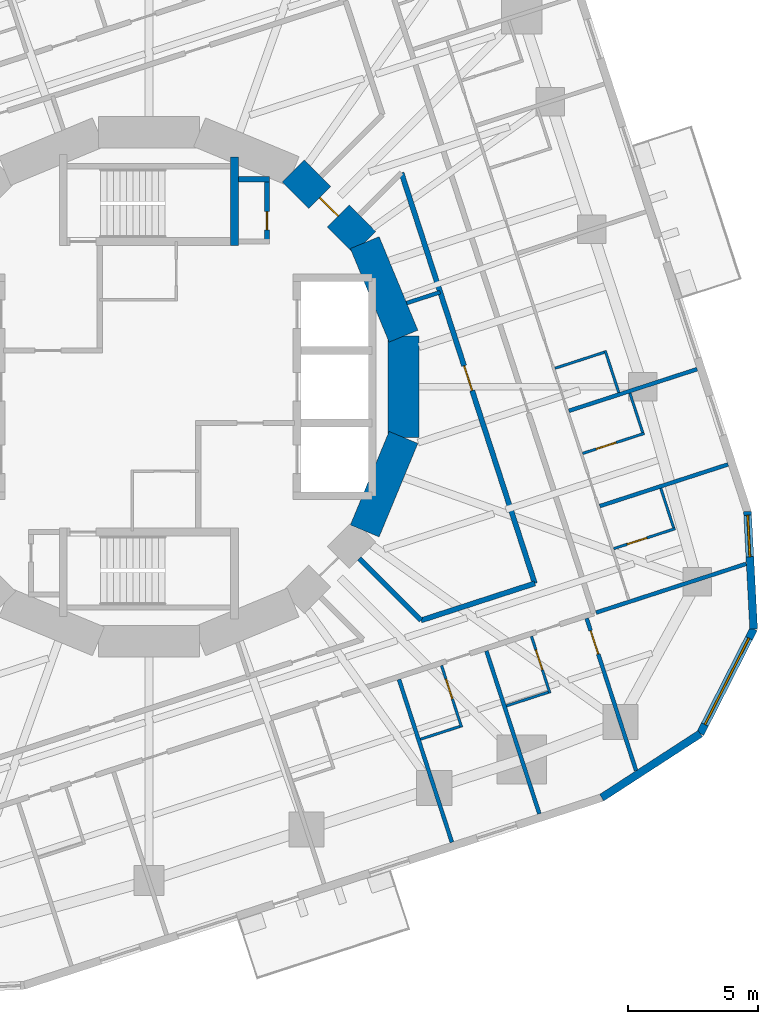
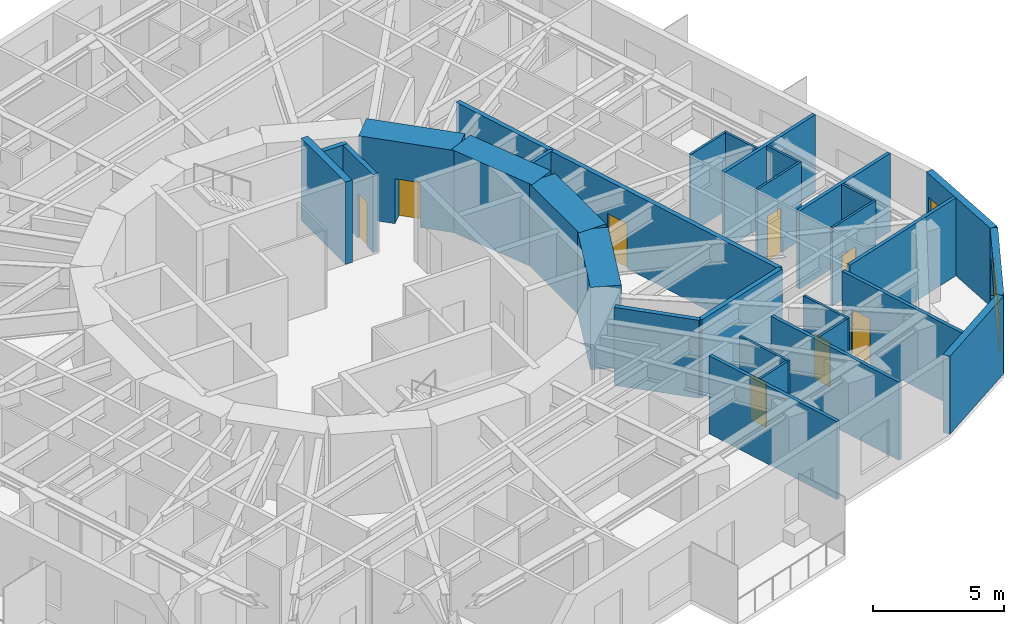
# One storey, part 7 of 12: 30 walls, 8 doors, 2 windows, 10 openings.
"""IFC4 building model written with IfcOpenShell, lengths in metres."""

from ifc_helpers import new_model, si_unit, direction, frame, frame_2d, origin, place, context, subcontext, project, spatial, rectangle, extrude, material, layer, layer_set, type_object, element, fill, save


model = new_model("IFC4")

# Units and contexts
model_context = context("Model", 3, precision=1e-05, world=origin(), true_north=direction((0.0, 1.0)))
body_context = subcontext(model_context, "Body", "Model", "MODEL_VIEW")
ifc_project = project(units=[si_unit("LENGTHUNIT", "METRE"), si_unit("AREAUNIT", "SQUARE_METRE"), si_unit("VOLUMEUNIT", "CUBIC_METRE"), si_unit("PLANEANGLEUNIT", "RADIAN"), si_unit("MASSUNIT", "GRAM", prefix="KILO")], contexts=[model_context])

# Site, building, storey
site_placement = place(None, origin())
site = spatial("IfcSite", under=ifc_project, at=site_placement, CompositionType="ELEMENT")
building_placement = place(site_placement, origin())
building = spatial("IfcBuilding", under=site, at=building_placement, Name="Nakasero Lantern House", CompositionType="ELEMENT")
storey_placement = place(building_placement, frame((0.0, 0.0, 172.60009765625)))
storey = spatial("IfcBuildingStorey", under=building, at=storey_placement, Name="L42", CompositionType="ELEMENT", Elevation=172.60009765625)

# Walls
ifc_material_1 = material(Name="Concrete C50/60", Category="concrete")
ifc_layer_1 = layer(ifc_material_1, 0.300048828125)
ifc_layer_set_1 = layer_set([ifc_layer_1], Name="Core inner wall 300")
wall_type_1 = type_object("IfcWallType", Name="Core inner wall 300", PredefinedType="SHEAR", material=ifc_layer_set_1)
wall_1_placement = place(storey_placement, frame((3.300048828125, 5.449951171875, 0.0), z_axis=(0.0, 0.0, 1.0), x_axis=(0.0, 1.0, 0.0)))
element("IfcWall", 1, at=wall_1_placement, inside=storey, type_object=wall_type_1, Name="Core inner wall L42 SNE", PredefinedType="SHEAR", context=body_context, shape_type="SweptSolid", body=[
    extrude(rectangle(XDim=3.400146484375, YDim=0.300048828125, at=frame_2d((1.7001953125, 0.0))), origin(), (0.0, 0.0, 1.0), 3.849853515625),
])
ifc_material_2 = material(Name="Concrete C50/60", Category="concrete")
ifc_layer_2 = layer(ifc_material_2, 1.199951171875)
ifc_layer_set_2 = layer_set([ifc_layer_2], Name="Core wall 1200")
wall_type_2 = type_object("IfcWallType", Name="Core wall 1200", PredefinedType="SHEAR", material=ifc_layer_set_2)
wall_2_placement = place(storey_placement, frame((9.807861328125, 1.950927734375, 0.0), z_axis=(0.0, 0.0, 1.0), x_axis=(-0.382690736062, 0.923876507187, 0.0)))
element("IfcWall", 2, at=wall_2_placement, inside=storey, type_object=wall_type_2, Name="Core wall L42 facet 1", PredefinedType="SHEAR", context=body_context, shape_type="SweptSolid", body=[
    extrude(rectangle(XDim=3.90185546875, YDim=1.199951171875, at=frame_2d((1.950927734375, 0.0))), origin(), (0.0, 0.0, 1.0), 3.849853515625),
])

# Wall, opening, door
wall_3_placement = place(storey_placement, frame((8.314697265625, 5.5556640625, 0.0), z_axis=(0.0, 0.0, 1.0), x_axis=(-0.707106781187, 0.707106781187, 0.0)))
wall_3 = element("IfcWall", 3, at=wall_3_placement, inside=storey, type_object=wall_type_2, Name="Core wall L42 facet 2", PredefinedType="SHEAR", context=body_context, shape_type="SweptSolid", body=[
    extrude(rectangle(XDim=3.90185546875, YDim=1.199951171875, at=frame_2d((1.950927734375, 0.0))), origin(), (0.0, 0.0, 1.0), 3.849853515625),
])
opening_1_placement = place(wall_3_placement, frame((1.450927734375, 0.0, 0.0)))
opening_1 = element("IfcOpeningElement", 4, at=opening_1_placement, cuts=wall_3, Name="Opening D05", PredefinedType="OPENING", context=body_context, shape_type="SweptSolid", body=[
    extrude(rectangle(XDim=1.0, YDim=2.10009765625, at=frame_2d((0.5, 1.050048828125))), frame((0.0, 0.619873046875, 0.0), z_axis=(0.0, -1.0, 0.0), x_axis=(1.0, 0.0, 0.0)), (0.0, 0.0, 1.0), 1.239990234375),
])
ifc_material_3 = material(Name="Timber C24", Category="wood")
door_type_1 = type_object("IfcDoorType", Name="Core door FD60S 1000", OperationType="SINGLE_SWING_LEFT", PredefinedType="DOOR", material=ifc_material_3)
door_1_placement = place(opening_1_placement, origin())
door_1 = element("IfcDoor", 5, at=door_1_placement, inside=storey, type_object=door_type_1, Name="Door L42 D-CORE02", OperationType="SINGLE_SWING_LEFT", OverallHeight=2.10009765625, OverallWidth=1.0, PredefinedType="DOOR", context=body_context, shape_type="SweptSolid", body=[
    extrude(rectangle(XDim=1.0, YDim=2.10009765625, at=frame_2d((0.5, 1.050048828125))), frame((0.0, 0.02490234375, 0.0), z_axis=(0.0, -1.0, 0.0), x_axis=(1.0, 0.0, 0.0)), (0.0, 0.0, 1.0), 0.050048828125),
])
fill(opening_1, door_1)

# Walls
for number, where, z_axis, x_axis, name in (
    (6, (8.314697265625, -5.5556640625, 0.0), (0.0, 0.0, 1.0), (0.382690736062, 0.923876507187, 0.0), "Core wall L42 facet 15"),
    (7, (9.807861328125, -1.950927734375, 0.0), (0.0, 0.0, 1.0), (0.0, 1.0, 0.0), "Core wall L42 facet 16"),
):
    element("IfcWall", number, at=place(storey_placement, frame(where, z_axis=z_axis, x_axis=x_axis)), inside=storey, type_object=wall_type_2, Name=name, PredefinedType="SHEAR", context=body_context, shape_type="SweptSolid", body=[
        extrude(rectangle(XDim=3.90185546875, YDim=1.199951171875, at=frame_2d((1.950927734375, 0.0))), origin(), (0.0, 0.0, 1.0), 3.849853515625),
    ])

# Wall, opening, door
ifc_material_4 = material(Name="Blockwork", Category="masonry")
ifc_layer_3 = layer(ifc_material_4, 0.199951171875)
ifc_layer_set_3 = layer_set([ifc_layer_3], Name="Corridor wall 200")
wall_type_3 = type_object("IfcWallType", Name="Corridor wall 200", PredefinedType="PARTITIONING", material=ifc_layer_set_3)
wall_4_placement = place(storey_placement, frame((14.868896484375, -7.576171875, 0.0), z_axis=(0.0, 0.0, 1.0), x_axis=(-0.309015049795, 0.951057148125, 0.0)))
wall_4 = element("IfcWall", 8, at=wall_4_placement, inside=storey, type_object=wall_type_3, Name="Corridor wall L42 IW0-0", PredefinedType="PARTITIONING", context=body_context, shape_type="SweptSolid", body=[
    extrude(rectangle(XDim=16.634033203125, YDim=0.199951171875, at=frame_2d((8.31689453125, 0.0))), origin(), (0.0, 0.0, 1.0), 3.64990234375),
])
opening_2_placement = place(wall_4_placement, frame((7.81689453125, 0.0, 0.0)))
opening_2 = element("IfcOpeningElement", 9, at=opening_2_placement, cuts=wall_4, Name="Opening D07", PredefinedType="OPENING", context=body_context, shape_type="SweptSolid", body=[
    extrude(rectangle(XDim=1.0, YDim=2.10009765625, at=frame_2d((0.5, 1.050048828125))), frame((0.0, 0.119873046875, 0.0), z_axis=(0.0, -1.0, 0.0), x_axis=(1.0, 0.0, 0.0)), (0.0, 0.0, 1.0), 0.239990234375),
])
ifc_material_5 = material(Name="Timber C24", Category="wood")
door_type_2 = type_object("IfcDoorType", Name="Room door FD30S 1000", OperationType="SINGLE_SWING_LEFT", PredefinedType="DOOR", material=ifc_material_5)
door_2_placement = place(opening_2_placement, origin())
door_2 = element("IfcDoor", 10, at=door_2_placement, inside=storey, type_object=door_type_2, Name="Door L42 DI4", OperationType="SINGLE_SWING_RIGHT", OverallHeight=2.10009765625, OverallWidth=1.0, PredefinedType="DOOR", context=body_context, shape_type="SweptSolid", body=[
    extrude(rectangle(XDim=1.0, YDim=2.10009765625, at=frame_2d((0.5, 1.050048828125))), frame((0.0, 0.02490234375, 0.0), z_axis=(0.0, -1.0, 0.0), x_axis=(1.0, 0.0, 0.0)), (0.0, 0.0, 1.0), 0.050048828125),
])
fill(opening_2, door_2)

# Walls
wall_5_placement = place(storey_placement, frame((10.4853515625, -9.00048828125, 0.0), z_axis=(0.0, 0.0, 1.0), x_axis=(0.951055475561, 0.309020197406, 0.0)))
element("IfcWall", 11, at=wall_5_placement, inside=storey, type_object=wall_type_3, Name="Corridor wall L42 IW3-1", PredefinedType="PARTITIONING", context=body_context, shape_type="SweptSolid", body=[
    extrude(rectangle(XDim=4.609130859375, YDim=0.199951171875, at=frame_2d((2.3046875, 0.0))), origin(), (0.0, 0.0, 1.0), 3.64990234375),
])
wall_6_placement = place(storey_placement, frame((8.101806640625, -6.616943359375, 0.0), z_axis=(0.0, 0.0, 1.0), x_axis=(0.707106781187, -0.707106781187, 0.0)))
element("IfcWall", 12, at=wall_6_placement, inside=storey, type_object=wall_type_3, Name="Corridor wall L42 PS14a", PredefinedType="PARTITIONING", context=body_context, shape_type="SweptSolid", body=[
    extrude(rectangle(XDim=3.370849609375, YDim=0.199951171875, at=frame_2d((1.685546875, 0.0))), origin(), (0.0, 0.0, 1.0), 3.64990234375),
])
ifc_material_6 = material(Name="Blockwork", Category="masonry")
ifc_layer_4 = layer(ifc_material_6, 0.10009765625)
ifc_layer_set_4 = layer_set([ifc_layer_4], Name="En-suite wall 100")
wall_type_4 = type_object("IfcWallType", Name="En-suite wall 100", PredefinedType="PARTITIONING", material=ifc_layer_set_4)
wall_7_placement = place(storey_placement, frame((15.645263671875, 0.713623046875, 0.0), z_axis=(0.0, 0.0, 1.0), x_axis=(0.951062257173, 0.308999325213, 0.0)))
element("IfcWall", 13, at=wall_7_placement, inside=storey, type_object=wall_type_4, Name="En-suite wall L42 SS0-0", PredefinedType="PARTITIONING", context=body_context, shape_type="SweptSolid", body=[
    extrude(rectangle(XDim=2.10009765625, YDim=0.10009765625, at=frame_2d((1.050048828125, 0.0))), origin(), (0.0, 0.0, 1.0), 3.64990234375),
])
wall_8_placement = place(storey_placement, frame((18.104736328125, -0.22216796875, 0.0), z_axis=(0.0, 0.0, 1.0), x_axis=(-0.309066587596, 0.951040401051, 0.0)))
element("IfcWall", 14, at=wall_8_placement, inside=storey, type_object=wall_type_4, Name="En-suite wall L42 SE0-0", PredefinedType="PARTITIONING", context=body_context, shape_type="SweptSolid", body=[
    extrude(rectangle(XDim=1.699951171875, YDim=0.10009765625, at=frame_2d((0.85009765625, 0.0))), origin(), (0.0, 0.0, 1.0), 3.64990234375),
])

# Wall, opening, door
wall_9_placement = place(storey_placement, frame((17.904052734375, -6.23828125, 0.0), z_axis=(0.0, 0.0, 1.0), x_axis=(0.951039092003, 0.309070615688, 0.0)))
wall_9 = element("IfcWall", 15, at=wall_9_placement, inside=storey, type_object=wall_type_4, Name="En-suite wall L42 ES0-00", PredefinedType="PARTITIONING", context=body_context, shape_type="SweptSolid", body=[
    extrude(rectangle(XDim=2.5, YDim=0.10009765625, at=frame_2d((1.25, 0.0))), origin(), (0.0, 0.0, 1.0), 3.64990234375),
])
opening_3_placement = place(wall_9_placement, frame((0.550048828125, 0.0, 0.0)))
opening_3 = element("IfcOpeningElement", 16, at=opening_3_placement, cuts=wall_9, Name="Opening D02", PredefinedType="OPENING", context=body_context, shape_type="SweptSolid", body=[
    extrude(rectangle(XDim=0.800048828125, YDim=2.10009765625, at=frame_2d((0.39990234375, 1.050048828125))), frame((0.0, 0.070068359375, 0.0), z_axis=(0.0, -1.0, 0.0), x_axis=(1.0, 0.0, 0.0)), (0.0, 0.0, 1.0), 0.14013671875),
])
ifc_material_7 = material(Name="Timber C24", Category="wood")
door_type_3 = type_object("IfcDoorType", Name="En-suite door 800", OperationType="SINGLE_SWING_RIGHT", PredefinedType="DOOR", material=ifc_material_7)
door_3_placement = place(opening_3_placement, origin())
door_3 = element("IfcDoor", 17, at=door_3_placement, inside=storey, type_object=door_type_3, Name="Door L42 DE0-00", OperationType="SINGLE_SWING_LEFT", OverallHeight=2.10009765625, OverallWidth=0.800048828125, PredefinedType="DOOR", context=body_context, shape_type="SweptSolid", body=[
    extrude(rectangle(XDim=0.800048828125, YDim=2.10009765625, at=frame_2d((0.39990234375, 1.050048828125))), frame((0.0, 0.02490234375, 0.0), z_axis=(0.0, -1.0, 0.0), x_axis=(1.0, 0.0, 0.0)), (0.0, 0.0, 1.0), 0.050048828125),
])
fill(opening_3, door_3)

# Wall
wall_10_placement = place(storey_placement, frame((20.21875, -5.43359375, 0.0), z_axis=(0.0, 0.0, 1.0), x_axis=(-0.309124022649, 0.951021734043, 0.0)))
element("IfcWall", 18, at=wall_10_placement, inside=storey, type_object=wall_type_4, Name="En-suite wall L42 EE0-00", PredefinedType="PARTITIONING", context=body_context, shape_type="SweptSolid", body=[
    extrude(rectangle(XDim=1.60009765625, YDim=0.10009765625, at=frame_2d((0.800048828125, 0.0))), origin(), (0.0, 0.0, 1.0), 3.64990234375),
])

# Wall, opening, door
wall_11_placement = place(storey_placement, frame((16.71142578125, -2.567626953125, 0.0), z_axis=(0.0, 0.0, 1.0), x_axis=(0.951067792613, 0.308982287281, 0.0)))
wall_11 = element("IfcWall", 19, at=wall_11_placement, inside=storey, type_object=wall_type_4, Name="En-suite wall L42 ES0-01", PredefinedType="PARTITIONING", context=body_context, shape_type="SweptSolid", body=[
    extrude(rectangle(XDim=2.5, YDim=0.10009765625, at=frame_2d((1.25, 0.0))), origin(), (0.0, 0.0, 1.0), 3.64990234375),
])
opening_4_placement = place(wall_11_placement, frame((0.550048828125, 0.0, 0.0)))
opening_4 = element("IfcOpeningElement", 20, at=opening_4_placement, cuts=wall_11, Name="Opening D02", PredefinedType="OPENING", context=body_context, shape_type="SweptSolid", body=[
    extrude(rectangle(XDim=0.800048828125, YDim=2.10009765625, at=frame_2d((0.39990234375, 1.050048828125))), frame((0.0, 0.070068359375, 0.0), z_axis=(0.0, -1.0, 0.0), x_axis=(1.0, 0.0, 0.0)), (0.0, 0.0, 1.0), 0.14013671875),
])
door_4_placement = place(opening_4_placement, origin())
door_4 = element("IfcDoor", 21, at=door_4_placement, inside=storey, type_object=door_type_3, Name="Door L42 DE0-01", OperationType="SINGLE_SWING_LEFT", OverallHeight=2.10009765625, OverallWidth=0.800048828125, PredefinedType="DOOR", context=body_context, shape_type="SweptSolid", body=[
    extrude(rectangle(XDim=0.800048828125, YDim=2.10009765625, at=frame_2d((0.39990234375, 1.050048828125))), frame((0.0, 0.02490234375, 0.0), z_axis=(0.0, -1.0, 0.0), x_axis=(1.0, 0.0, 0.0)), (0.0, 0.0, 1.0), 0.050048828125),
])
fill(opening_4, door_4)

# Wall
wall_12_placement = place(storey_placement, frame((19.02587890625, -1.762939453125, 0.0), z_axis=(0.0, 0.0, 1.0), x_axis=(-0.308986014439, 0.951066581729, 0.0)))
element("IfcWall", 22, at=wall_12_placement, inside=storey, type_object=wall_type_4, Name="En-suite wall L42 EE0-01", PredefinedType="PARTITIONING", context=body_context, shape_type="SweptSolid", body=[
    extrude(rectangle(XDim=1.60009765625, YDim=0.10009765625, at=frame_2d((0.800048828125, 0.0))), origin(), (0.0, 0.0, 1.0), 3.64990234375),
])

# Wall, opening, door
wall_13_placement = place(storey_placement, frame((11.2744140625, -10.74169921875, 0.0), z_axis=(0.0, 0.0, 1.0), x_axis=(0.308982287281, -0.951067792613, 0.0)))
wall_13 = element("IfcWall", 23, at=wall_13_placement, inside=storey, type_object=wall_type_4, Name="En-suite wall L42 ES3-05", PredefinedType="PARTITIONING", context=body_context, shape_type="SweptSolid", body=[
    extrude(rectangle(XDim=2.5, YDim=0.10009765625, at=frame_2d((1.25, 0.0))), origin(), (0.0, 0.0, 1.0), 3.64990234375),
])
opening_5_placement = place(wall_13_placement, frame((0.550048828125, 0.0, 0.0)))
opening_5 = element("IfcOpeningElement", 24, at=opening_5_placement, cuts=wall_13, Name="Opening D02", PredefinedType="OPENING", context=body_context, shape_type="SweptSolid", body=[
    extrude(rectangle(XDim=0.800048828125, YDim=2.10009765625, at=frame_2d((0.39990234375, 1.050048828125))), frame((0.0, 0.070068359375, 0.0), z_axis=(0.0, -1.0, 0.0), x_axis=(1.0, 0.0, 0.0)), (0.0, 0.0, 1.0), 0.14013671875),
])
door_5_placement = place(opening_5_placement, origin())
door_5 = element("IfcDoor", 25, at=door_5_placement, inside=storey, type_object=door_type_3, Name="Door L42 DE3-05", OperationType="SINGLE_SWING_LEFT", OverallHeight=2.10009765625, OverallWidth=0.800048828125, PredefinedType="DOOR", context=body_context, shape_type="SweptSolid", body=[
    extrude(rectangle(XDim=0.800048828125, YDim=2.10009765625, at=frame_2d((0.39990234375, 1.050048828125))), frame((0.0, 0.02490234375, 0.0), z_axis=(0.0, -1.0, 0.0), x_axis=(1.0, 0.0, 0.0)), (0.0, 0.0, 1.0), 0.050048828125),
])
fill(opening_5, door_5)

# Wall
wall_14_placement = place(storey_placement, frame((10.462158203125, -13.581787109375, 0.0), z_axis=(0.0, 0.0, 1.0), x_axis=(0.951066581729, 0.308986014439, 0.0)))
element("IfcWall", 26, at=wall_14_placement, inside=storey, type_object=wall_type_4, Name="En-suite wall L42 EE3-05", PredefinedType="PARTITIONING", context=body_context, shape_type="SweptSolid", body=[
    extrude(rectangle(XDim=1.60009765625, YDim=0.10009765625, at=frame_2d((0.800048828125, 0.0))), origin(), (0.0, 0.0, 1.0), 3.64990234375),
])

# Wall, opening, door
wall_15_placement = place(storey_placement, frame((14.740234375, -9.61572265625, 0.0), z_axis=(0.0, 0.0, 1.0), x_axis=(0.309021261611, -0.951055129775, 0.0)))
wall_15 = element("IfcWall", 27, at=wall_15_placement, inside=storey, type_object=wall_type_4, Name="En-suite wall L42 ES3-06", PredefinedType="PARTITIONING", context=body_context, shape_type="SweptSolid", body=[
    extrude(rectangle(XDim=2.2998046875, YDim=0.10009765625, at=frame_2d((1.14990234375, 0.0))), origin(), (0.0, 0.0, 1.0), 3.64990234375),
])
opening_6_placement = place(wall_15_placement, frame((0.550048828125, 0.0, 0.0)))
opening_6 = element("IfcOpeningElement", 28, at=opening_6_placement, cuts=wall_15, Name="Opening D02", PredefinedType="OPENING", context=body_context, shape_type="SweptSolid", body=[
    extrude(rectangle(XDim=0.800048828125, YDim=2.10009765625, at=frame_2d((0.39990234375, 1.050048828125))), frame((0.0, 0.070068359375, 0.0), z_axis=(0.0, -1.0, 0.0), x_axis=(1.0, 0.0, 0.0)), (0.0, 0.0, 1.0), 0.14013671875),
])
door_6_placement = place(opening_6_placement, origin())
door_6 = element("IfcDoor", 29, at=door_6_placement, inside=storey, type_object=door_type_3, Name="Door L42 DE3-06", OperationType="SINGLE_SWING_LEFT", OverallHeight=2.10009765625, OverallWidth=0.800048828125, PredefinedType="DOOR", context=body_context, shape_type="SweptSolid", body=[
    extrude(rectangle(XDim=0.800048828125, YDim=2.10009765625, at=frame_2d((0.39990234375, 1.050048828125))), frame((0.0, 0.02490234375, 0.0), z_axis=(0.0, -1.0, 0.0), x_axis=(1.0, 0.0, 0.0)), (0.0, 0.0, 1.0), 0.050048828125),
])
fill(opening_6, door_6)

# Walls
wall_16_placement = place(storey_placement, frame((13.771240234375, -12.29638671875, 0.0), z_axis=(0.0, 0.0, 1.0), x_axis=(0.951040401051, 0.309066587596, 0.0)))
element("IfcWall", 30, at=wall_16_placement, inside=storey, type_object=wall_type_4, Name="En-suite wall L42 EE3-06", PredefinedType="PARTITIONING", context=body_context, shape_type="SweptSolid", body=[
    extrude(rectangle(XDim=1.699951171875, YDim=0.10009765625, at=frame_2d((0.85009765625, 0.0))), origin(), (0.0, 0.0, 1.0), 3.64990234375),
])
ifc_material_8 = material(Name="Aluminium rainscreen on blockwork", Category="masonry")
ifc_layer_5 = layer(ifc_material_8, 0.300048828125)
ifc_layer_set_5 = layer_set([ifc_layer_5], Name="Facade wall 300")
wall_type_5 = type_object("IfcWallType", Name="Facade wall 300", PredefinedType="SOLIDWALL", material=ifc_layer_set_5)
wall_17_placement = place(storey_placement, frame((17.44677734375, -15.83349609375, 0.0), z_axis=(0.0, 0.0, 1.0), x_axis=(0.838673836229, 0.544634002266, 0.0)))
element("IfcWall", 31, at=wall_17_placement, inside=storey, type_object=wall_type_5, Name="Facade wall L42 FW3C1", PredefinedType="SOLIDWALL", context=body_context, shape_type="SweptSolid", body=[
    extrude(rectangle(XDim=4.529296875, YDim=0.300048828125, at=frame_2d((2.2646484375, 0.0))), origin(), (0.0, 0.0, 1.0), 3.64990234375),
])

# Wall, opening, window
wall_18_placement = place(storey_placement, frame((21.245361328125, -13.36669921875, 0.0), z_axis=(0.0, 0.0, 1.0), x_axis=(0.454013792196, 0.890994655705, 0.0)))
wall_18 = element("IfcWall", 32, at=wall_18_placement, inside=storey, type_object=wall_type_5, Name="Facade wall L42 FW3C2", PredefinedType="SOLIDWALL", context=body_context, shape_type="SweptSolid", body=[
    extrude(rectangle(XDim=4.529296875, YDim=0.300048828125, at=frame_2d((2.2646484375, 0.0))), origin(), (0.0, 0.0, 1.0), 3.64990234375),
])
opening_7_placement = place(wall_18_placement, frame((0.39990234375, 0.0, 0.75)))
opening_7 = element("IfcOpeningElement", 33, at=opening_7_placement, cuts=wall_18, Name="Opening W237A", PredefinedType="OPENING", context=body_context, shape_type="SweptSolid", body=[
    extrude(rectangle(XDim=3.72900390625, YDim=1.800048828125, at=frame_2d((1.864501953125, 0.89990234375))), frame((0.0, 0.169921875, 0.0), z_axis=(0.0, -1.0, 0.0), x_axis=(1.0, 0.0, 0.0)), (0.0, 0.0, 1.0), 0.340087890625),
])
ifc_material_9 = material(Name="Aluminium 6063-T6 and glass", Category="aluminium")
window_type_1 = type_object("IfcWindowType", Name="Corner window 3729x1800", PartitioningType="SINGLE_PANEL", PredefinedType="WINDOW", material=ifc_material_9)
window_1_placement = place(opening_7_placement, origin())
window_1 = element("IfcWindow", 34, at=window_1_placement, inside=storey, type_object=window_type_1, Name="Window L42 WC3", OverallHeight=1.800048828125, OverallWidth=3.72900390625, PartitioningType="SINGLE_PANEL", PredefinedType="WINDOW", context=body_context, shape_type="SweptSolid", body=[
    extrude(rectangle(XDim=3.72900390625, YDim=1.800048828125, at=frame_2d((1.864501953125, 0.89990234375))), frame((0.0, 0.030029296875, 0.0), z_axis=(0.0, -1.0, 0.0), x_axis=(1.0, 0.0, 0.0)), (0.0, 0.0, 1.0), 0.06005859375),
])
fill(opening_7, window_1)

wall_19_placement = place(storey_placement, frame((23.3017578125, -9.3310546875, 0.0), z_axis=(0.0, 0.0, 1.0), x_axis=(-0.052338164079, 0.998629419044, 0.0)))
wall_19 = element("IfcWall", 35, at=wall_19_placement, inside=storey, type_object=wall_type_5, Name="Facade wall L42 FW3C3", PredefinedType="SOLIDWALL", context=body_context, shape_type="SweptSolid", body=[
    extrude(rectangle(XDim=4.529296875, YDim=0.300048828125, at=frame_2d((2.2646484375, 0.0))), origin(), (0.0, 0.0, 1.0), 3.64990234375),
])
opening_8_placement = place(wall_19_placement, frame((2.784912109375, 0.0, 0.75)))
opening_8 = element("IfcOpeningElement", 36, at=opening_8_placement, cuts=wall_19, Name="Opening W01", PredefinedType="OPENING", context=body_context, shape_type="SweptSolid", body=[
    extrude(rectangle(XDim=1.60009765625, YDim=1.800048828125, at=frame_2d((0.800048828125, 0.89990234375))), frame((0.0, 0.169921875, 0.0), z_axis=(0.0, -1.0, 0.0), x_axis=(1.0, 0.0, 0.0)), (0.0, 0.0, 1.0), 0.340087890625),
])
ifc_material_10 = material(Name="Aluminium 6063-T6 and glass", Category="aluminium")
window_type_2 = type_object("IfcWindowType", Name="Bedroom window 1600x1800", PartitioningType="SINGLE_PANEL", PredefinedType="WINDOW", material=ifc_material_10)
window_2_placement = place(opening_8_placement, origin())
window_2 = element("IfcWindow", 37, at=window_2_placement, inside=storey, type_object=window_type_2, Name="Window L42 WN0-00", OverallHeight=1.800048828125, OverallWidth=1.60009765625, PartitioningType="SINGLE_PANEL", PredefinedType="WINDOW", context=body_context, shape_type="SweptSolid", body=[
    extrude(rectangle(XDim=1.60009765625, YDim=1.800048828125, at=frame_2d((0.800048828125, 0.89990234375))), frame((0.0, 0.030029296875, 0.0), z_axis=(0.0, -1.0, 0.0), x_axis=(1.0, 0.0, 0.0)), (0.0, 0.0, 1.0), 0.06005859375),
])
fill(opening_8, window_2)

# Wall, opening, door
ifc_material_11 = material(Name="Blockwork", Category="masonry")
ifc_layer_6 = layer(ifc_material_11, 0.199951171875)
ifc_layer_set_6 = layer_set([ifc_layer_6], Name="Fire lobby wall 200")
wall_type_6 = type_object("IfcWallType", Name="Fire lobby wall 200", PredefinedType="PARTITIONING", material=ifc_layer_set_6)
wall_20_placement = place(storey_placement, frame((4.550048828125, 5.60009765625, 0.0), z_axis=(0.0, 0.0, 1.0), x_axis=(0.0, 1.0, 0.0)))
wall_20 = element("IfcWall", 38, at=wall_20_placement, inside=storey, type_object=wall_type_6, Name="Fire lobby wall L42 W-RS1E", PredefinedType="PARTITIONING", context=body_context, shape_type="SweptSolid", body=[
    extrude(rectangle(XDim=2.39990234375, YDim=0.199951171875, at=frame_2d((1.199951171875, 0.0))), origin(), (0.0, 0.0, 1.0), 3.64990234375),
])
opening_9_placement = place(wall_20_placement, frame((0.449951171875, 0.0, 0.0)))
opening_9 = element("IfcOpeningElement", 39, at=opening_9_placement, cuts=wall_20, Name="Opening D06", PredefinedType="OPENING", context=body_context, shape_type="SweptSolid", body=[
    extrude(rectangle(XDim=0.699951171875, YDim=2.10009765625, at=frame_2d((0.35009765625, 1.050048828125))), frame((0.0, 0.119873046875, 0.0), z_axis=(0.0, -1.0, 0.0), x_axis=(1.0, 0.0, 0.0)), (0.0, 0.0, 1.0), 0.239990234375),
])
ifc_material_12 = material(Name="Steel S355", Category="steel")
door_type_4 = type_object("IfcDoorType", Name="Riser door FD60 700", OperationType="SINGLE_SWING_LEFT", PredefinedType="DOOR", material=ifc_material_12)
door_7_placement = place(opening_9_placement, origin())
door_7 = element("IfcDoor", 40, at=door_7_placement, inside=storey, type_object=door_type_4, Name="Door L42 D-RS1", OperationType="SINGLE_SWING_LEFT", OverallHeight=2.10009765625, OverallWidth=0.699951171875, PredefinedType="DOOR", context=body_context, shape_type="SweptSolid", body=[
    extrude(rectangle(XDim=0.699951171875, YDim=2.10009765625, at=frame_2d((0.35009765625, 1.050048828125))), frame((0.0, 0.02490234375, 0.0), z_axis=(0.0, -1.0, 0.0), x_axis=(1.0, 0.0, 0.0)), (0.0, 0.0, 1.0), 0.050048828125),
])
fill(opening_9, door_7)

# Walls
wall_21_placement = place(storey_placement, frame((3.449951171875, 8.0, 0.0), z_axis=(0.0, 0.0, 1.0), x_axis=(1.0, 0.0, 0.0)))
element("IfcWall", 41, at=wall_21_placement, inside=storey, type_object=wall_type_6, Name="Fire lobby wall L42 W-RS1N", PredefinedType="PARTITIONING", context=body_context, shape_type="SweptSolid", body=[
    extrude(rectangle(XDim=1.199951171875, YDim=0.199951171875, at=frame_2d((0.60009765625, 0.0))), origin(), (0.0, 0.0, 1.0), 3.64990234375),
])
ifc_material_13 = material(Name="Blockwork", Category="masonry")
ifc_layer_7 = layer(ifc_material_13, 0.14990234375)
ifc_layer_set_7 = layer_set([ifc_layer_7], Name="Party wall 150")
wall_type_7 = type_object("IfcWallType", Name="Party wall 150", PredefinedType="PARTITIONING", material=ifc_layer_set_7)
wall_22_placement = place(storey_placement, frame((17.232177734375, -8.700927734375, 0.0), z_axis=(0.0, 0.0, 1.0), x_axis=(0.951057081836, 0.309015253813, 0.0)))
element("IfcWall", 42, at=wall_22_placement, inside=storey, type_object=wall_type_7, Name="Party wall L42 PW0-00", PredefinedType="PARTITIONING", context=body_context, shape_type="SweptSolid", body=[
    extrude(rectangle(XDim=6.080322265625, YDim=0.14990234375, at=frame_2d((3.0400390625, 0.0))), origin(), (0.0, 0.0, 1.0), 3.64990234375),
])
for number, where, z_axis, x_axis, name in (
    (43, (17.370849609375, -4.59765625, 0.0), (0.0, 0.0, 1.0), (0.951055112834, 0.309021313752, 0.0), "Party wall L42 PW0-01"),
    (44, (16.17822265625, -0.927001953125, 0.0), (0.0, 0.0, 1.0), (0.951055112834, 0.309021313752, 0.0), "Party wall L42 PW0-02"),
):
    element("IfcWall", number, at=place(storey_placement, frame(where, z_axis=z_axis, x_axis=x_axis)), inside=storey, type_object=wall_type_7, Name=name, PredefinedType="PARTITIONING", context=body_context, shape_type="SweptSolid", body=[
        extrude(rectangle(XDim=5.2001953125, YDim=0.14990234375, at=frame_2d((2.60009765625, 0.0))), origin(), (0.0, 0.0, 1.0), 3.64990234375),
    ])
for number, where, z_axis, x_axis, name in (
    (45, (9.6337890625, -11.27490234375, 0.0), (0.0, 0.0, 1.0), (0.309027520945, -0.951053095941, 0.0), "Party wall L42 PW3-05"),
    (46, (13.004638671875, -10.1796875, 0.0), (0.0, 0.0, 1.0), (0.309027520945, -0.951053095941, 0.0), "Party wall L42 PW3-06"),
):
    element("IfcWall", number, at=place(storey_placement, frame(where, z_axis=z_axis, x_axis=x_axis)), inside=storey, type_object=wall_type_7, Name=name, PredefinedType="PARTITIONING", context=body_context, shape_type="SweptSolid", body=[
        extrude(rectangle(XDim=6.599853515625, YDim=0.14990234375, at=frame_2d((3.2998046875, 0.0))), origin(), (0.0, 0.0, 1.0), 3.64990234375),
    ])

# Wall, opening, door
wall_23_placement = place(storey_placement, frame((16.8662109375, -8.9248046875, 0.0), z_axis=(0.0, 0.0, 1.0), x_axis=(0.309031452366, -0.951051818488, 0.0)))
wall_23 = element("IfcWall", 47, at=wall_23_placement, inside=storey, type_object=wall_type_7, Name="Party wall L42 PC3", PredefinedType="PARTITIONING", context=body_context, shape_type="SweptSolid", body=[
    extrude(rectangle(XDim=6.165283203125, YDim=0.14990234375, at=frame_2d((3.08251953125, 0.0))), origin(), (0.0, 0.0, 1.0), 3.64990234375),
])
opening_10_placement = place(wall_23_placement, frame((0.5, 0.0, 0.0)))
opening_10 = element("IfcOpeningElement", 48, at=opening_10_placement, cuts=wall_23, Name="Opening D01", PredefinedType="OPENING", context=body_context, shape_type="SweptSolid", body=[
    extrude(rectangle(XDim=0.949951171875, YDim=2.10009765625, at=frame_2d((0.47509765625, 1.050048828125))), frame((0.0, 0.094970703125, 0.0), z_axis=(0.0, -1.0, 0.0), x_axis=(1.0, 0.0, 0.0)), (0.0, 0.0, 1.0), 0.18994140625),
])
ifc_material_14 = material(Name="Timber C24", Category="wood")
door_type_5 = type_object("IfcDoorType", Name="Bedroom door FD30S 950", OperationType="SINGLE_SWING_LEFT", PredefinedType="DOOR", material=ifc_material_14)
door_8_placement = place(opening_10_placement, origin())
door_8 = element("IfcDoor", 49, at=door_8_placement, inside=storey, type_object=door_type_5, Name="Door L42 DC3", OperationType="SINGLE_SWING_LEFT", OverallHeight=2.10009765625, OverallWidth=0.949951171875, PredefinedType="DOOR", context=body_context, shape_type="SweptSolid", body=[
    extrude(rectangle(XDim=0.949951171875, YDim=2.10009765625, at=frame_2d((0.47509765625, 1.050048828125))), frame((0.0, 0.02490234375, 0.0), z_axis=(0.0, -1.0, 0.0), x_axis=(1.0, 0.0, 0.0)), (0.0, 0.0, 1.0), 0.050048828125),
])
fill(opening_10, door_8)

# Wall
wall_24_placement = place(storey_placement, frame((11.222412109375, 3.646484375, 0.0), z_axis=(0.0, 0.0, 1.0), x_axis=(-0.951026153486, -0.309110425878, 0.0)))
element("IfcWall", 50, at=wall_24_placement, inside=storey, type_object=wall_type_7, Name="Party wall L42 IM0", PredefinedType="PARTITIONING", context=body_context, shape_type="SweptSolid", body=[
    extrude(rectangle(XDim=1.360107421875, YDim=0.14990234375, at=frame_2d((0.68017578125, 0.0))), origin(), (0.0, 0.0, 1.0), 3.64990234375),
])

save(model, "model.ifc")
